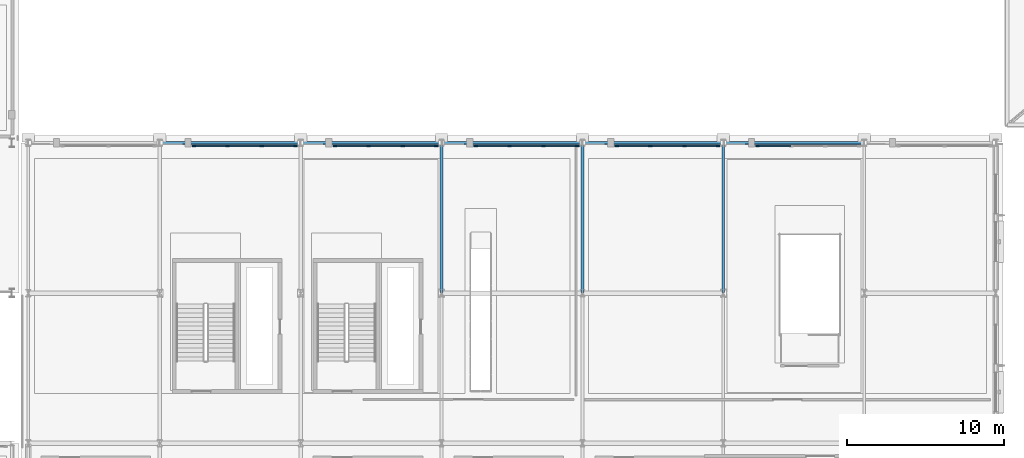
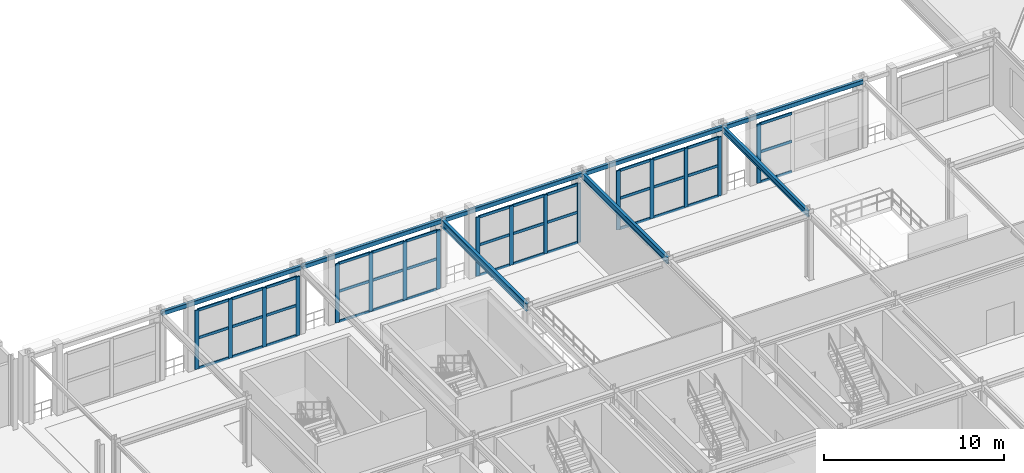
# One storey, part 54 of 125: 56 members, 8 beams, 5 elements without a shape of their own.
"""IFC4 building model written with IfcOpenShell, lengths in metres."""

from ifc_helpers import new_model, si_unit, direction, frame, origin, origin_2d, place, context, subcontext, project, spatial, rectangle, hollow_rectangle, i_section, extrude, material, layer, layer_set, material_profile, profile_set, type_object, element, aggregate, save


model = new_model("IFC4")

# Units and contexts
model_context = context("Model", 3, precision=1e-05, world=origin(), true_north=direction((0.0, 1.0)))
body_context = subcontext(model_context, "Body", "Model", "MODEL_VIEW")
ifc_project = project(units=[si_unit("LENGTHUNIT", "METRE"), si_unit("AREAUNIT", "SQUARE_METRE"), si_unit("VOLUMEUNIT", "CUBIC_METRE"), si_unit("PLANEANGLEUNIT", "RADIAN"), si_unit("MASSUNIT", "GRAM", prefix="KILO")], contexts=[model_context])

# Site, building, storey
site_placement = place(None, origin())
site = spatial("IfcSite", under=ifc_project, at=site_placement, CompositionType="ELEMENT")
building_placement = place(site_placement, origin())
building = spatial("IfcBuilding", under=site, at=building_placement, Name="Myrtia Square Station", CompositionType="ELEMENT")
storey_placement = place(building_placement, frame((0.0, 0.0, 6.0)))
storey = spatial("IfcBuildingStorey", under=building, at=storey_placement, Name="L01", CompositionType="ELEMENT", Elevation=6.0)

# Beams
ifc_material_1 = material(Name="Steel S355", Category="steel")
ifc_material_profile_1 = material_profile(ifc_material_1, i_section(OverallWidth=0.179931640625, OverallDepth=0.39990234375, WebThickness=0.008544921875, FlangeThickness=0.013427734375, FilletRadius=0.02099609375, at=origin_2d()), Name="IPE 400")
ifc_profile_set_1 = profile_set([ifc_material_profile_1], Name="Steel S355")
beam_type_1 = type_object("IfcBeamType", Name="BM-IPE400", PredefinedType="BEAM", material=ifc_profile_set_1)
beam_1_placement = place(storey_placement, frame((162.0, 28.85009765625, 4.3349609375), z_axis=(0.0, 1.0, 0.0), x_axis=(-1.0, 0.0, 0.0)))
element("IfcBeam", 1, at=beam_1_placement, inside=storey, type_object=beam_type_1, Name="Structural girder BMY-L01-0635", PredefinedType="BEAM", context=body_context, shape_type="SweptSolid", body=[
    extrude(i_section(OverallWidth=0.179931640625, OverallDepth=0.39990234375, WebThickness=0.008544921875, FlangeThickness=0.013427734375, FilletRadius=0.02099609375, at=origin_2d()), origin(), (0.0, 0.0, 1.0), 9.5),
])
ifc_material_profile_2 = material_profile(ifc_material_1, i_section(OverallWidth=0.18994140625, OverallDepth=0.449951171875, WebThickness=0.009521484375, FlangeThickness=0.0146484375, FilletRadius=0.02099609375, at=origin_2d()), Name="IPE 450")
ifc_profile_set_2 = profile_set([ifc_material_profile_2], Name="Steel S355")
beam_type_2 = type_object("IfcBeamType", Name="BM-IPE450", PredefinedType="BEAM", material=ifc_profile_set_2)
beam_2_placement = place(storey_placement, frame((153.0, 28.85009765625, 4.324951171875), z_axis=(0.0, 1.0, 0.0), x_axis=(-1.0, 0.0, 0.0)))
element("IfcBeam", 2, at=beam_2_placement, inside=storey, type_object=beam_type_2, Name="Structural girder BMY-L01-0631", PredefinedType="BEAM", context=body_context, shape_type="SweptSolid", body=[
    extrude(i_section(OverallWidth=0.18994140625, OverallDepth=0.449951171875, WebThickness=0.009521484375, FlangeThickness=0.0146484375, FilletRadius=0.02099609375, at=origin_2d()), origin(), (0.0, 0.0, 1.0), 9.5),
])
ifc_material_profile_3 = material_profile(ifc_material_1, i_section(OverallWidth=0.199951171875, OverallDepth=0.5, WebThickness=0.01025390625, FlangeThickness=0.01611328125, FilletRadius=0.02099609375, at=origin_2d()), Name="IPE 500")
ifc_profile_set_3 = profile_set([ifc_material_profile_3], Name="Steel S355")
beam_type_3 = type_object("IfcBeamType", Name="BM-IPE500", PredefinedType="BEAM", material=ifc_profile_set_3)
beam_3_placement = place(storey_placement, frame((144.0, 28.85009765625, 4.300048828125), z_axis=(0.0, 1.0, 0.0), x_axis=(-1.0, 0.0, 0.0)))
element("IfcBeam", 3, at=beam_3_placement, inside=storey, type_object=beam_type_3, Name="Structural girder BMY-L01-0627", PredefinedType="BEAM", context=body_context, shape_type="SweptSolid", body=[
    extrude(i_section(OverallWidth=0.199951171875, OverallDepth=0.5, WebThickness=0.01025390625, FlangeThickness=0.01611328125, FilletRadius=0.02099609375, at=origin_2d()), origin(), (0.0, 0.0, 1.0), 9.5),
])

# Curtain wall, members
ifc_material_2 = material(Name="Dark bronze anodised aluminium", Category="aluminium")
ifc_layer = layer(ifc_material_2, 0.159912109375, Name="Dark bronze anodised aluminium")
ifc_layer_set = layer_set([ifc_layer], Name="Dark bronze anodised aluminium")
curtain_wall_type = type_object("IfcCurtainWallType", Name="CW-TYPE-26-655x400", PredefinedType="USERDEFINED", material=ifc_layer_set)
curtain_wall_1_placement = place(storey_placement, origin())
curtain_wall_1 = element("IfcCurtainWall", 4, at=curtain_wall_1_placement, inside=storey, type_object=curtain_wall_type, Name="Concourse curtain wall CW-L01-091", ObjectType="CONCOURSE CURTAIN WALL", PredefinedType="USERDEFINED")
ifc_material_profile_4 = material_profile(ifc_material_2, rectangle(XDim=0.074951171875, YDim=0.239990234375, at=origin_2d()), Name="ALU-M 75x240")
ifc_profile_set_4 = profile_set([ifc_material_profile_4], Name="Dark bronze anodised aluminium")
member_type_1 = type_object("IfcMemberType", Name="CWM-75x240", PredefinedType="MULLION", material=ifc_profile_set_4)
member_1_placement = place(storey_placement, frame((128.1875, 38.199951171875, 0.0), z_axis=(0.0, 0.0, 1.0), x_axis=(0.0, 1.0, 0.0)))
member_1 = element("IfcMember", 5, at=member_1_placement, type_object=member_type_1, Name="CW-091 mullion 1", PredefinedType="MULLION", context=body_context, shape_type="SweptSolid", body=[
    extrude(rectangle(XDim=0.074951171875, YDim=0.239990234375, at=origin_2d()), origin(), (0.0, 0.0, 1.0), 4.0),
])
member_2_placement = place(storey_placement, frame((130.333251953125, 38.199951171875, 0.0), z_axis=(0.0, 0.0, 1.0), x_axis=(0.0, 1.0, 0.0)))
member_2 = element("IfcMember", 6, at=member_2_placement, type_object=member_type_1, Name="CW-091 mullion 2", PredefinedType="MULLION", context=body_context, shape_type="SweptSolid", body=[
    extrude(rectangle(XDim=0.074951171875, YDim=0.239990234375, at=origin_2d()), origin(), (0.0, 0.0, 1.0), 4.0),
])
member_3_placement = place(storey_placement, frame((132.5166015625, 38.199951171875, 0.0), z_axis=(0.0, 0.0, 1.0), x_axis=(0.0, 1.0, 0.0)))
member_3 = element("IfcMember", 7, at=member_3_placement, type_object=member_type_1, Name="CW-091 mullion 3", PredefinedType="MULLION", context=body_context, shape_type="SweptSolid", body=[
    extrude(rectangle(XDim=0.074951171875, YDim=0.239990234375, at=origin_2d()), origin(), (0.0, 0.0, 1.0), 4.0),
])
member_4_placement = place(storey_placement, frame((134.66259765625, 38.199951171875, 0.0), z_axis=(0.0, 0.0, 1.0), x_axis=(0.0, 1.0, 0.0)))
member_4 = element("IfcMember", 8, at=member_4_placement, type_object=member_type_1, Name="CW-091 mullion 4", PredefinedType="MULLION", context=body_context, shape_type="SweptSolid", body=[
    extrude(rectangle(XDim=0.074951171875, YDim=0.239990234375, at=origin_2d()), origin(), (0.0, 0.0, 1.0), 4.0),
])

curtain_wall_2_placement = place(storey_placement, origin())
curtain_wall_2 = element("IfcCurtainWall", 9, at=curtain_wall_2_placement, inside=storey, type_object=curtain_wall_type, Name="Concourse curtain wall CW-L01-092", ObjectType="CONCOURSE CURTAIN WALL", PredefinedType="USERDEFINED")
member_5_placement = place(storey_placement, frame((137.1875, 38.199951171875, 0.0), z_axis=(0.0, 0.0, 1.0), x_axis=(0.0, 1.0, 0.0)))
member_5 = element("IfcMember", 10, at=member_5_placement, type_object=member_type_1, Name="CW-092 mullion 1", PredefinedType="MULLION", context=body_context, shape_type="SweptSolid", body=[
    extrude(rectangle(XDim=0.074951171875, YDim=0.239990234375, at=origin_2d()), origin(), (0.0, 0.0, 1.0), 4.0),
])
member_6_placement = place(storey_placement, frame((139.333251953125, 38.199951171875, 0.0), z_axis=(0.0, 0.0, 1.0), x_axis=(0.0, 1.0, 0.0)))
member_6 = element("IfcMember", 11, at=member_6_placement, type_object=member_type_1, Name="CW-092 mullion 2", PredefinedType="MULLION", context=body_context, shape_type="SweptSolid", body=[
    extrude(rectangle(XDim=0.074951171875, YDim=0.239990234375, at=origin_2d()), origin(), (0.0, 0.0, 1.0), 4.0),
])
member_7_placement = place(storey_placement, frame((141.5166015625, 38.199951171875, 0.0), z_axis=(0.0, 0.0, 1.0), x_axis=(0.0, 1.0, 0.0)))
member_7 = element("IfcMember", 12, at=member_7_placement, type_object=member_type_1, Name="CW-092 mullion 3", PredefinedType="MULLION", context=body_context, shape_type="SweptSolid", body=[
    extrude(rectangle(XDim=0.074951171875, YDim=0.239990234375, at=origin_2d()), origin(), (0.0, 0.0, 1.0), 4.0),
])
member_8_placement = place(storey_placement, frame((143.66259765625, 38.199951171875, 0.0), z_axis=(0.0, 0.0, 1.0), x_axis=(0.0, 1.0, 0.0)))
member_8 = element("IfcMember", 13, at=member_8_placement, type_object=member_type_1, Name="CW-092 mullion 4", PredefinedType="MULLION", context=body_context, shape_type="SweptSolid", body=[
    extrude(rectangle(XDim=0.074951171875, YDim=0.239990234375, at=origin_2d()), origin(), (0.0, 0.0, 1.0), 4.0),
])

curtain_wall_3_placement = place(storey_placement, origin())
curtain_wall_3 = element("IfcCurtainWall", 14, at=curtain_wall_3_placement, inside=storey, type_object=curtain_wall_type, Name="Concourse curtain wall CW-L01-093", ObjectType="CONCOURSE CURTAIN WALL", PredefinedType="USERDEFINED")
member_9_placement = place(storey_placement, frame((146.1875, 38.199951171875, 0.0), z_axis=(0.0, 0.0, 1.0), x_axis=(0.0, 1.0, 0.0)))
member_9 = element("IfcMember", 15, at=member_9_placement, type_object=member_type_1, Name="CW-093 mullion 1", PredefinedType="MULLION", context=body_context, shape_type="SweptSolid", body=[
    extrude(rectangle(XDim=0.074951171875, YDim=0.239990234375, at=origin_2d()), origin(), (0.0, 0.0, 1.0), 4.0),
])
member_10_placement = place(storey_placement, frame((148.333251953125, 38.199951171875, 0.0), z_axis=(0.0, 0.0, 1.0), x_axis=(0.0, 1.0, 0.0)))
member_10 = element("IfcMember", 16, at=member_10_placement, type_object=member_type_1, Name="CW-093 mullion 2", PredefinedType="MULLION", context=body_context, shape_type="SweptSolid", body=[
    extrude(rectangle(XDim=0.074951171875, YDim=0.239990234375, at=origin_2d()), origin(), (0.0, 0.0, 1.0), 4.0),
])
member_11_placement = place(storey_placement, frame((150.5166015625, 38.199951171875, 0.0), z_axis=(0.0, 0.0, 1.0), x_axis=(0.0, 1.0, 0.0)))
member_11 = element("IfcMember", 17, at=member_11_placement, type_object=member_type_1, Name="CW-093 mullion 3", PredefinedType="MULLION", context=body_context, shape_type="SweptSolid", body=[
    extrude(rectangle(XDim=0.074951171875, YDim=0.239990234375, at=origin_2d()), origin(), (0.0, 0.0, 1.0), 4.0),
])
member_12_placement = place(storey_placement, frame((152.66259765625, 38.199951171875, 0.0), z_axis=(0.0, 0.0, 1.0), x_axis=(0.0, 1.0, 0.0)))
member_12 = element("IfcMember", 18, at=member_12_placement, type_object=member_type_1, Name="CW-093 mullion 4", PredefinedType="MULLION", context=body_context, shape_type="SweptSolid", body=[
    extrude(rectangle(XDim=0.074951171875, YDim=0.239990234375, at=origin_2d()), origin(), (0.0, 0.0, 1.0), 4.0),
])

curtain_wall_4_placement = place(storey_placement, origin())
curtain_wall_4 = element("IfcCurtainWall", 19, at=curtain_wall_4_placement, inside=storey, type_object=curtain_wall_type, Name="Concourse curtain wall CW-L01-094", ObjectType="CONCOURSE CURTAIN WALL", PredefinedType="USERDEFINED")
member_13_placement = place(storey_placement, frame((155.1875, 38.199951171875, 0.0), z_axis=(0.0, 0.0, 1.0), x_axis=(0.0, 1.0, 0.0)))
member_13 = element("IfcMember", 20, at=member_13_placement, type_object=member_type_1, Name="CW-094 mullion 1", PredefinedType="MULLION", context=body_context, shape_type="SweptSolid", body=[
    extrude(rectangle(XDim=0.074951171875, YDim=0.239990234375, at=origin_2d()), origin(), (0.0, 0.0, 1.0), 4.0),
])
member_14_placement = place(storey_placement, frame((157.333251953125, 38.199951171875, 0.0), z_axis=(0.0, 0.0, 1.0), x_axis=(0.0, 1.0, 0.0)))
member_14 = element("IfcMember", 21, at=member_14_placement, type_object=member_type_1, Name="CW-094 mullion 2", PredefinedType="MULLION", context=body_context, shape_type="SweptSolid", body=[
    extrude(rectangle(XDim=0.074951171875, YDim=0.239990234375, at=origin_2d()), origin(), (0.0, 0.0, 1.0), 4.0),
])
member_15_placement = place(storey_placement, frame((159.5166015625, 38.199951171875, 0.0), z_axis=(0.0, 0.0, 1.0), x_axis=(0.0, 1.0, 0.0)))
member_15 = element("IfcMember", 22, at=member_15_placement, type_object=member_type_1, Name="CW-094 mullion 3", PredefinedType="MULLION", context=body_context, shape_type="SweptSolid", body=[
    extrude(rectangle(XDim=0.074951171875, YDim=0.239990234375, at=origin_2d()), origin(), (0.0, 0.0, 1.0), 4.0),
])
member_16_placement = place(storey_placement, frame((161.66259765625, 38.199951171875, 0.0), z_axis=(0.0, 0.0, 1.0), x_axis=(0.0, 1.0, 0.0)))
member_16 = element("IfcMember", 23, at=member_16_placement, type_object=member_type_1, Name="CW-094 mullion 4", PredefinedType="MULLION", context=body_context, shape_type="SweptSolid", body=[
    extrude(rectangle(XDim=0.074951171875, YDim=0.239990234375, at=origin_2d()), origin(), (0.0, 0.0, 1.0), 4.0),
])

# Curtain wall, member
curtain_wall_5_placement = place(storey_placement, origin())
curtain_wall_5 = element("IfcCurtainWall", 24, at=curtain_wall_5_placement, inside=storey, type_object=curtain_wall_type, Name="Concourse curtain wall CW-L01-095", ObjectType="CONCOURSE CURTAIN WALL", PredefinedType="USERDEFINED")
member_17_placement = place(storey_placement, frame((164.1875, 38.199951171875, 0.0), z_axis=(0.0, 0.0, 1.0), x_axis=(0.0, 1.0, 0.0)))
member_17 = element("IfcMember", 25, at=member_17_placement, type_object=member_type_1, Name="CW-095 mullion 1", PredefinedType="MULLION", context=body_context, shape_type="SweptSolid", body=[
    extrude(rectangle(XDim=0.074951171875, YDim=0.239990234375, at=origin_2d()), origin(), (0.0, 0.0, 1.0), 4.0),
])

# Member
ifc_material_profile_5 = material_profile(ifc_material_2, rectangle(XDim=0.074951171875, YDim=0.179931640625, at=origin_2d()), Name="ALU-T 75x180")
ifc_profile_set_5 = profile_set([ifc_material_profile_5], Name="Dark bronze anodised aluminium")
member_type_2 = type_object("IfcMemberType", Name="CWT-75x180", PredefinedType="USERDEFINED", material=ifc_profile_set_5)
member_18_placement = place(storey_placement, frame((128.22509765625, 38.199951171875, 0.03759765625), z_axis=(1.0, 0.0, 0.0), x_axis=(0.0, 1.0, 0.0)))
member_18 = element("IfcMember", 26, at=member_18_placement, type_object=member_type_2, Name="CW-091 transom 1.1", ObjectType="TRANSOM", PredefinedType="USERDEFINED", context=body_context, shape_type="SweptSolid", body=[
    extrude(rectangle(XDim=0.074951171875, YDim=0.179931640625, at=origin_2d()), origin(), (0.0, 0.0, 1.0), 2.07080078125),
])

member_19_placement = place(storey_placement, frame((128.22509765625, 38.199951171875, 2.080078125), z_axis=(1.0, 0.0, 0.0), x_axis=(0.0, 1.0, 0.0)))
member_19 = element("IfcMember", 27, at=member_19_placement, type_object=member_type_2, Name="CW-091 transom 1.2", ObjectType="TRANSOM", PredefinedType="USERDEFINED", context=body_context, shape_type="SweptSolid", body=[
    extrude(rectangle(XDim=0.074951171875, YDim=0.179931640625, at=origin_2d()), origin(), (0.0, 0.0, 1.0), 2.07080078125),
])

member_20_placement = place(storey_placement, frame((128.22509765625, 38.199951171875, 3.96240234375), z_axis=(1.0, 0.0, 0.0), x_axis=(0.0, 1.0, 0.0)))
member_20 = element("IfcMember", 28, at=member_20_placement, type_object=member_type_2, Name="CW-091 transom 1.3", ObjectType="TRANSOM", PredefinedType="USERDEFINED", context=body_context, shape_type="SweptSolid", body=[
    extrude(rectangle(XDim=0.074951171875, YDim=0.179931640625, at=origin_2d()), origin(), (0.0, 0.0, 1.0), 2.07080078125),
])

member_21_placement = place(storey_placement, frame((130.370849609375, 38.199951171875, 0.03759765625), z_axis=(1.0, 0.0, 0.0), x_axis=(0.0, 1.0, 0.0)))
member_21 = element("IfcMember", 29, at=member_21_placement, type_object=member_type_2, Name="CW-091 transom 2.1", ObjectType="TRANSOM", PredefinedType="USERDEFINED", context=body_context, shape_type="SweptSolid", body=[
    extrude(rectangle(XDim=0.074951171875, YDim=0.179931640625, at=origin_2d()), origin(), (0.0, 0.0, 1.0), 2.1083984375),
])

member_22_placement = place(storey_placement, frame((130.370849609375, 38.199951171875, 2.080078125), z_axis=(1.0, 0.0, 0.0), x_axis=(0.0, 1.0, 0.0)))
member_22 = element("IfcMember", 30, at=member_22_placement, type_object=member_type_2, Name="CW-091 transom 2.2", ObjectType="TRANSOM", PredefinedType="USERDEFINED", context=body_context, shape_type="SweptSolid", body=[
    extrude(rectangle(XDim=0.074951171875, YDim=0.179931640625, at=origin_2d()), origin(), (0.0, 0.0, 1.0), 2.1083984375),
])

member_23_placement = place(storey_placement, frame((130.370849609375, 38.199951171875, 3.96240234375), z_axis=(1.0, 0.0, 0.0), x_axis=(0.0, 1.0, 0.0)))
member_23 = element("IfcMember", 31, at=member_23_placement, type_object=member_type_2, Name="CW-091 transom 2.3", ObjectType="TRANSOM", PredefinedType="USERDEFINED", context=body_context, shape_type="SweptSolid", body=[
    extrude(rectangle(XDim=0.074951171875, YDim=0.179931640625, at=origin_2d()), origin(), (0.0, 0.0, 1.0), 2.1083984375),
])

member_24_placement = place(storey_placement, frame((132.55419921875, 38.199951171875, 0.03759765625), z_axis=(1.0, 0.0, 0.0), x_axis=(0.0, 1.0, 0.0)))
member_24 = element("IfcMember", 32, at=member_24_placement, type_object=member_type_2, Name="CW-091 transom 3.1", ObjectType="TRANSOM", PredefinedType="USERDEFINED", context=body_context, shape_type="SweptSolid", body=[
    extrude(rectangle(XDim=0.074951171875, YDim=0.179931640625, at=origin_2d()), origin(), (0.0, 0.0, 1.0), 2.07080078125),
])

member_25_placement = place(storey_placement, frame((132.55419921875, 38.199951171875, 2.080078125), z_axis=(1.0, 0.0, 0.0), x_axis=(0.0, 1.0, 0.0)))
member_25 = element("IfcMember", 33, at=member_25_placement, type_object=member_type_2, Name="CW-091 transom 3.2", ObjectType="TRANSOM", PredefinedType="USERDEFINED", context=body_context, shape_type="SweptSolid", body=[
    extrude(rectangle(XDim=0.074951171875, YDim=0.179931640625, at=origin_2d()), origin(), (0.0, 0.0, 1.0), 2.07080078125),
])

member_26_placement = place(storey_placement, frame((132.55419921875, 38.199951171875, 3.96240234375), z_axis=(1.0, 0.0, 0.0), x_axis=(0.0, 1.0, 0.0)))
member_26 = element("IfcMember", 34, at=member_26_placement, type_object=member_type_2, Name="CW-091 transom 3.3", ObjectType="TRANSOM", PredefinedType="USERDEFINED", context=body_context, shape_type="SweptSolid", body=[
    extrude(rectangle(XDim=0.074951171875, YDim=0.179931640625, at=origin_2d()), origin(), (0.0, 0.0, 1.0), 2.07080078125),
])

aggregate(curtain_wall_1, [member_1, member_2, member_3, member_4, member_18, member_19, member_20, member_21, member_22, member_23, member_24, member_25, member_26])

member_27_placement = place(storey_placement, frame((137.22509765625, 38.199951171875, 0.03759765625), z_axis=(1.0, 0.0, 0.0), x_axis=(0.0, 1.0, 0.0)))
member_27 = element("IfcMember", 35, at=member_27_placement, type_object=member_type_2, Name="CW-092 transom 1.1", ObjectType="TRANSOM", PredefinedType="USERDEFINED", context=body_context, shape_type="SweptSolid", body=[
    extrude(rectangle(XDim=0.074951171875, YDim=0.179931640625, at=origin_2d()), origin(), (0.0, 0.0, 1.0), 2.07080078125),
])

member_28_placement = place(storey_placement, frame((137.22509765625, 38.199951171875, 2.080078125), z_axis=(1.0, 0.0, 0.0), x_axis=(0.0, 1.0, 0.0)))
member_28 = element("IfcMember", 36, at=member_28_placement, type_object=member_type_2, Name="CW-092 transom 1.2", ObjectType="TRANSOM", PredefinedType="USERDEFINED", context=body_context, shape_type="SweptSolid", body=[
    extrude(rectangle(XDim=0.074951171875, YDim=0.179931640625, at=origin_2d()), origin(), (0.0, 0.0, 1.0), 2.07080078125),
])

member_29_placement = place(storey_placement, frame((137.22509765625, 38.199951171875, 3.96240234375), z_axis=(1.0, 0.0, 0.0), x_axis=(0.0, 1.0, 0.0)))
member_29 = element("IfcMember", 37, at=member_29_placement, type_object=member_type_2, Name="CW-092 transom 1.3", ObjectType="TRANSOM", PredefinedType="USERDEFINED", context=body_context, shape_type="SweptSolid", body=[
    extrude(rectangle(XDim=0.074951171875, YDim=0.179931640625, at=origin_2d()), origin(), (0.0, 0.0, 1.0), 2.07080078125),
])

member_30_placement = place(storey_placement, frame((139.370849609375, 38.199951171875, 0.03759765625), z_axis=(1.0, 0.0, 0.0), x_axis=(0.0, 1.0, 0.0)))
member_30 = element("IfcMember", 38, at=member_30_placement, type_object=member_type_2, Name="CW-092 transom 2.1", ObjectType="TRANSOM", PredefinedType="USERDEFINED", context=body_context, shape_type="SweptSolid", body=[
    extrude(rectangle(XDim=0.074951171875, YDim=0.179931640625, at=origin_2d()), origin(), (0.0, 0.0, 1.0), 2.1083984375),
])

member_31_placement = place(storey_placement, frame((139.370849609375, 38.199951171875, 2.080078125), z_axis=(1.0, 0.0, 0.0), x_axis=(0.0, 1.0, 0.0)))
member_31 = element("IfcMember", 39, at=member_31_placement, type_object=member_type_2, Name="CW-092 transom 2.2", ObjectType="TRANSOM", PredefinedType="USERDEFINED", context=body_context, shape_type="SweptSolid", body=[
    extrude(rectangle(XDim=0.074951171875, YDim=0.179931640625, at=origin_2d()), origin(), (0.0, 0.0, 1.0), 2.1083984375),
])

member_32_placement = place(storey_placement, frame((139.370849609375, 38.199951171875, 3.96240234375), z_axis=(1.0, 0.0, 0.0), x_axis=(0.0, 1.0, 0.0)))
member_32 = element("IfcMember", 40, at=member_32_placement, type_object=member_type_2, Name="CW-092 transom 2.3", ObjectType="TRANSOM", PredefinedType="USERDEFINED", context=body_context, shape_type="SweptSolid", body=[
    extrude(rectangle(XDim=0.074951171875, YDim=0.179931640625, at=origin_2d()), origin(), (0.0, 0.0, 1.0), 2.1083984375),
])

member_33_placement = place(storey_placement, frame((141.55419921875, 38.199951171875, 0.03759765625), z_axis=(1.0, 0.0, 0.0), x_axis=(0.0, 1.0, 0.0)))
member_33 = element("IfcMember", 41, at=member_33_placement, type_object=member_type_2, Name="CW-092 transom 3.1", ObjectType="TRANSOM", PredefinedType="USERDEFINED", context=body_context, shape_type="SweptSolid", body=[
    extrude(rectangle(XDim=0.074951171875, YDim=0.179931640625, at=origin_2d()), origin(), (0.0, 0.0, 1.0), 2.07080078125),
])

member_34_placement = place(storey_placement, frame((141.55419921875, 38.199951171875, 2.080078125), z_axis=(1.0, 0.0, 0.0), x_axis=(0.0, 1.0, 0.0)))
member_34 = element("IfcMember", 42, at=member_34_placement, type_object=member_type_2, Name="CW-092 transom 3.2", ObjectType="TRANSOM", PredefinedType="USERDEFINED", context=body_context, shape_type="SweptSolid", body=[
    extrude(rectangle(XDim=0.074951171875, YDim=0.179931640625, at=origin_2d()), origin(), (0.0, 0.0, 1.0), 2.07080078125),
])

member_35_placement = place(storey_placement, frame((141.55419921875, 38.199951171875, 3.96240234375), z_axis=(1.0, 0.0, 0.0), x_axis=(0.0, 1.0, 0.0)))
member_35 = element("IfcMember", 43, at=member_35_placement, type_object=member_type_2, Name="CW-092 transom 3.3", ObjectType="TRANSOM", PredefinedType="USERDEFINED", context=body_context, shape_type="SweptSolid", body=[
    extrude(rectangle(XDim=0.074951171875, YDim=0.179931640625, at=origin_2d()), origin(), (0.0, 0.0, 1.0), 2.07080078125),
])

aggregate(curtain_wall_2, [member_5, member_6, member_7, member_8, member_27, member_28, member_29, member_30, member_31, member_32, member_33, member_34, member_35])

member_36_placement = place(storey_placement, frame((146.22509765625, 38.199951171875, 0.03759765625), z_axis=(1.0, 0.0, 0.0), x_axis=(0.0, 1.0, 0.0)))
member_36 = element("IfcMember", 44, at=member_36_placement, type_object=member_type_2, Name="CW-093 transom 1.1", ObjectType="TRANSOM", PredefinedType="USERDEFINED", context=body_context, shape_type="SweptSolid", body=[
    extrude(rectangle(XDim=0.074951171875, YDim=0.179931640625, at=origin_2d()), origin(), (0.0, 0.0, 1.0), 2.07080078125),
])

member_37_placement = place(storey_placement, frame((146.22509765625, 38.199951171875, 2.080078125), z_axis=(1.0, 0.0, 0.0), x_axis=(0.0, 1.0, 0.0)))
member_37 = element("IfcMember", 45, at=member_37_placement, type_object=member_type_2, Name="CW-093 transom 1.2", ObjectType="TRANSOM", PredefinedType="USERDEFINED", context=body_context, shape_type="SweptSolid", body=[
    extrude(rectangle(XDim=0.074951171875, YDim=0.179931640625, at=origin_2d()), origin(), (0.0, 0.0, 1.0), 2.07080078125),
])

member_38_placement = place(storey_placement, frame((146.22509765625, 38.199951171875, 3.96240234375), z_axis=(1.0, 0.0, 0.0), x_axis=(0.0, 1.0, 0.0)))
member_38 = element("IfcMember", 46, at=member_38_placement, type_object=member_type_2, Name="CW-093 transom 1.3", ObjectType="TRANSOM", PredefinedType="USERDEFINED", context=body_context, shape_type="SweptSolid", body=[
    extrude(rectangle(XDim=0.074951171875, YDim=0.179931640625, at=origin_2d()), origin(), (0.0, 0.0, 1.0), 2.07080078125),
])

member_39_placement = place(storey_placement, frame((148.370849609375, 38.199951171875, 0.03759765625), z_axis=(1.0, 0.0, 0.0), x_axis=(0.0, 1.0, 0.0)))
member_39 = element("IfcMember", 47, at=member_39_placement, type_object=member_type_2, Name="CW-093 transom 2.1", ObjectType="TRANSOM", PredefinedType="USERDEFINED", context=body_context, shape_type="SweptSolid", body=[
    extrude(rectangle(XDim=0.074951171875, YDim=0.179931640625, at=origin_2d()), origin(), (0.0, 0.0, 1.0), 2.1083984375),
])

member_40_placement = place(storey_placement, frame((148.370849609375, 38.199951171875, 2.080078125), z_axis=(1.0, 0.0, 0.0), x_axis=(0.0, 1.0, 0.0)))
member_40 = element("IfcMember", 48, at=member_40_placement, type_object=member_type_2, Name="CW-093 transom 2.2", ObjectType="TRANSOM", PredefinedType="USERDEFINED", context=body_context, shape_type="SweptSolid", body=[
    extrude(rectangle(XDim=0.074951171875, YDim=0.179931640625, at=origin_2d()), origin(), (0.0, 0.0, 1.0), 2.1083984375),
])

member_41_placement = place(storey_placement, frame((148.370849609375, 38.199951171875, 3.96240234375), z_axis=(1.0, 0.0, 0.0), x_axis=(0.0, 1.0, 0.0)))
member_41 = element("IfcMember", 49, at=member_41_placement, type_object=member_type_2, Name="CW-093 transom 2.3", ObjectType="TRANSOM", PredefinedType="USERDEFINED", context=body_context, shape_type="SweptSolid", body=[
    extrude(rectangle(XDim=0.074951171875, YDim=0.179931640625, at=origin_2d()), origin(), (0.0, 0.0, 1.0), 2.1083984375),
])

member_42_placement = place(storey_placement, frame((150.55419921875, 38.199951171875, 0.03759765625), z_axis=(1.0, 0.0, 0.0), x_axis=(0.0, 1.0, 0.0)))
member_42 = element("IfcMember", 50, at=member_42_placement, type_object=member_type_2, Name="CW-093 transom 3.1", ObjectType="TRANSOM", PredefinedType="USERDEFINED", context=body_context, shape_type="SweptSolid", body=[
    extrude(rectangle(XDim=0.074951171875, YDim=0.179931640625, at=origin_2d()), origin(), (0.0, 0.0, 1.0), 2.07080078125),
])

member_43_placement = place(storey_placement, frame((150.55419921875, 38.199951171875, 2.080078125), z_axis=(1.0, 0.0, 0.0), x_axis=(0.0, 1.0, 0.0)))
member_43 = element("IfcMember", 51, at=member_43_placement, type_object=member_type_2, Name="CW-093 transom 3.2", ObjectType="TRANSOM", PredefinedType="USERDEFINED", context=body_context, shape_type="SweptSolid", body=[
    extrude(rectangle(XDim=0.074951171875, YDim=0.179931640625, at=origin_2d()), origin(), (0.0, 0.0, 1.0), 2.07080078125),
])

member_44_placement = place(storey_placement, frame((150.55419921875, 38.199951171875, 3.96240234375), z_axis=(1.0, 0.0, 0.0), x_axis=(0.0, 1.0, 0.0)))
member_44 = element("IfcMember", 52, at=member_44_placement, type_object=member_type_2, Name="CW-093 transom 3.3", ObjectType="TRANSOM", PredefinedType="USERDEFINED", context=body_context, shape_type="SweptSolid", body=[
    extrude(rectangle(XDim=0.074951171875, YDim=0.179931640625, at=origin_2d()), origin(), (0.0, 0.0, 1.0), 2.07080078125),
])

aggregate(curtain_wall_3, [member_9, member_10, member_11, member_12, member_36, member_37, member_38, member_39, member_40, member_41, member_42, member_43, member_44])

member_45_placement = place(storey_placement, frame((155.22509765625, 38.199951171875, 0.03759765625), z_axis=(1.0, 0.0, 0.0), x_axis=(0.0, 1.0, 0.0)))
member_45 = element("IfcMember", 53, at=member_45_placement, type_object=member_type_2, Name="CW-094 transom 1.1", ObjectType="TRANSOM", PredefinedType="USERDEFINED", context=body_context, shape_type="SweptSolid", body=[
    extrude(rectangle(XDim=0.074951171875, YDim=0.179931640625, at=origin_2d()), origin(), (0.0, 0.0, 1.0), 2.07080078125),
])

member_46_placement = place(storey_placement, frame((155.22509765625, 38.199951171875, 2.080078125), z_axis=(1.0, 0.0, 0.0), x_axis=(0.0, 1.0, 0.0)))
member_46 = element("IfcMember", 54, at=member_46_placement, type_object=member_type_2, Name="CW-094 transom 1.2", ObjectType="TRANSOM", PredefinedType="USERDEFINED", context=body_context, shape_type="SweptSolid", body=[
    extrude(rectangle(XDim=0.074951171875, YDim=0.179931640625, at=origin_2d()), origin(), (0.0, 0.0, 1.0), 2.07080078125),
])

member_47_placement = place(storey_placement, frame((155.22509765625, 38.199951171875, 3.96240234375), z_axis=(1.0, 0.0, 0.0), x_axis=(0.0, 1.0, 0.0)))
member_47 = element("IfcMember", 55, at=member_47_placement, type_object=member_type_2, Name="CW-094 transom 1.3", ObjectType="TRANSOM", PredefinedType="USERDEFINED", context=body_context, shape_type="SweptSolid", body=[
    extrude(rectangle(XDim=0.074951171875, YDim=0.179931640625, at=origin_2d()), origin(), (0.0, 0.0, 1.0), 2.07080078125),
])

member_48_placement = place(storey_placement, frame((157.370849609375, 38.199951171875, 0.03759765625), z_axis=(1.0, 0.0, 0.0), x_axis=(0.0, 1.0, 0.0)))
member_48 = element("IfcMember", 56, at=member_48_placement, type_object=member_type_2, Name="CW-094 transom 2.1", ObjectType="TRANSOM", PredefinedType="USERDEFINED", context=body_context, shape_type="SweptSolid", body=[
    extrude(rectangle(XDim=0.074951171875, YDim=0.179931640625, at=origin_2d()), origin(), (0.0, 0.0, 1.0), 2.1083984375),
])

member_49_placement = place(storey_placement, frame((157.370849609375, 38.199951171875, 2.080078125), z_axis=(1.0, 0.0, 0.0), x_axis=(0.0, 1.0, 0.0)))
member_49 = element("IfcMember", 57, at=member_49_placement, type_object=member_type_2, Name="CW-094 transom 2.2", ObjectType="TRANSOM", PredefinedType="USERDEFINED", context=body_context, shape_type="SweptSolid", body=[
    extrude(rectangle(XDim=0.074951171875, YDim=0.179931640625, at=origin_2d()), origin(), (0.0, 0.0, 1.0), 2.1083984375),
])

member_50_placement = place(storey_placement, frame((157.370849609375, 38.199951171875, 3.96240234375), z_axis=(1.0, 0.0, 0.0), x_axis=(0.0, 1.0, 0.0)))
member_50 = element("IfcMember", 58, at=member_50_placement, type_object=member_type_2, Name="CW-094 transom 2.3", ObjectType="TRANSOM", PredefinedType="USERDEFINED", context=body_context, shape_type="SweptSolid", body=[
    extrude(rectangle(XDim=0.074951171875, YDim=0.179931640625, at=origin_2d()), origin(), (0.0, 0.0, 1.0), 2.1083984375),
])

member_51_placement = place(storey_placement, frame((159.55419921875, 38.199951171875, 0.03759765625), z_axis=(1.0, 0.0, 0.0), x_axis=(0.0, 1.0, 0.0)))
member_51 = element("IfcMember", 59, at=member_51_placement, type_object=member_type_2, Name="CW-094 transom 3.1", ObjectType="TRANSOM", PredefinedType="USERDEFINED", context=body_context, shape_type="SweptSolid", body=[
    extrude(rectangle(XDim=0.074951171875, YDim=0.179931640625, at=origin_2d()), origin(), (0.0, 0.0, 1.0), 2.07080078125),
])

member_52_placement = place(storey_placement, frame((159.55419921875, 38.199951171875, 2.080078125), z_axis=(1.0, 0.0, 0.0), x_axis=(0.0, 1.0, 0.0)))
member_52 = element("IfcMember", 60, at=member_52_placement, type_object=member_type_2, Name="CW-094 transom 3.2", ObjectType="TRANSOM", PredefinedType="USERDEFINED", context=body_context, shape_type="SweptSolid", body=[
    extrude(rectangle(XDim=0.074951171875, YDim=0.179931640625, at=origin_2d()), origin(), (0.0, 0.0, 1.0), 2.07080078125),
])

member_53_placement = place(storey_placement, frame((159.55419921875, 38.199951171875, 3.96240234375), z_axis=(1.0, 0.0, 0.0), x_axis=(0.0, 1.0, 0.0)))
member_53 = element("IfcMember", 61, at=member_53_placement, type_object=member_type_2, Name="CW-094 transom 3.3", ObjectType="TRANSOM", PredefinedType="USERDEFINED", context=body_context, shape_type="SweptSolid", body=[
    extrude(rectangle(XDim=0.074951171875, YDim=0.179931640625, at=origin_2d()), origin(), (0.0, 0.0, 1.0), 2.07080078125),
])

aggregate(curtain_wall_4, [member_13, member_14, member_15, member_16, member_45, member_46, member_47, member_48, member_49, member_50, member_51, member_52, member_53])

member_54_placement = place(storey_placement, frame((164.22509765625, 38.199951171875, 0.03759765625), z_axis=(1.0, 0.0, 0.0), x_axis=(0.0, 1.0, 0.0)))
member_54 = element("IfcMember", 62, at=member_54_placement, type_object=member_type_2, Name="CW-095 transom 1.1", ObjectType="TRANSOM", PredefinedType="USERDEFINED", context=body_context, shape_type="SweptSolid", body=[
    extrude(rectangle(XDim=0.074951171875, YDim=0.179931640625, at=origin_2d()), origin(), (0.0, 0.0, 1.0), 2.07080078125),
])

member_55_placement = place(storey_placement, frame((164.22509765625, 38.199951171875, 2.080078125), z_axis=(1.0, 0.0, 0.0), x_axis=(0.0, 1.0, 0.0)))
member_55 = element("IfcMember", 63, at=member_55_placement, type_object=member_type_2, Name="CW-095 transom 1.2", ObjectType="TRANSOM", PredefinedType="USERDEFINED", context=body_context, shape_type="SweptSolid", body=[
    extrude(rectangle(XDim=0.074951171875, YDim=0.179931640625, at=origin_2d()), origin(), (0.0, 0.0, 1.0), 2.07080078125),
])

member_56_placement = place(storey_placement, frame((164.22509765625, 38.199951171875, 3.96240234375), z_axis=(1.0, 0.0, 0.0), x_axis=(0.0, 1.0, 0.0)))
member_56 = element("IfcMember", 64, at=member_56_placement, type_object=member_type_2, Name="CW-095 transom 1.3", ObjectType="TRANSOM", PredefinedType="USERDEFINED", context=body_context, shape_type="SweptSolid", body=[
    extrude(rectangle(XDim=0.074951171875, YDim=0.179931640625, at=origin_2d()), origin(), (0.0, 0.0, 1.0), 2.07080078125),
])

aggregate(curtain_wall_5, [member_17, member_54, member_55, member_56])

# Beams
ifc_material_profile_6 = material_profile(ifc_material_1, hollow_rectangle(XDim=0.199951171875, YDim=0.300048828125, WallThickness=0.01611328125, InnerFilletRadius=0.01611328125, OuterFilletRadius=0.031982421875, at=origin_2d()), Name="RHS 300x200x16")
ifc_profile_set_6 = profile_set([ifc_material_profile_6], Name="Steel S355")
beam_type_4 = type_object("IfcBeamType", Name="SPN-RHS300", PredefinedType="SPANDREL", material=ifc_profile_set_6)
for number, where, z_axis, x_axis, name in (
    (65, (126.050048828125, 38.39990234375, 4.39990234375), (1.0, 0.0, 0.0), (0.0, 1.0, 0.0), "Structural girder SPN-L01-0164"),
    (66, (135.050048828125, 38.39990234375, 4.39990234375), (1.0, 0.0, 0.0), (0.0, 1.0, 0.0), "Structural girder SPN-L01-0165"),
    (67, (144.050048828125, 38.39990234375, 4.39990234375), (1.0, 0.0, 0.0), (0.0, 1.0, 0.0), "Structural girder SPN-L01-0166"),
    (68, (153.050048828125, 38.39990234375, 4.39990234375), (1.0, 0.0, 0.0), (0.0, 1.0, 0.0), "Structural girder SPN-L01-0167"),
    (69, (162.050048828125, 38.39990234375, 4.385009765625), (1.0, 0.0, 0.0), (0.0, 1.0, 0.0), "Structural girder SPN-L01-0168"),
):
    element("IfcBeam", number, at=place(storey_placement, frame(where, z_axis=z_axis, x_axis=x_axis)), inside=storey, type_object=beam_type_4, Name=name, PredefinedType="SPANDREL", context=body_context, shape_type="SweptSolid", body=[
        extrude(hollow_rectangle(XDim=0.199951171875, YDim=0.300048828125, WallThickness=0.01611328125, InnerFilletRadius=0.01611328125, OuterFilletRadius=0.031982421875, at=origin_2d()), origin(), (0.0, 0.0, 1.0), 8.89990234375),
    ])

save(model, "model.ifc")
